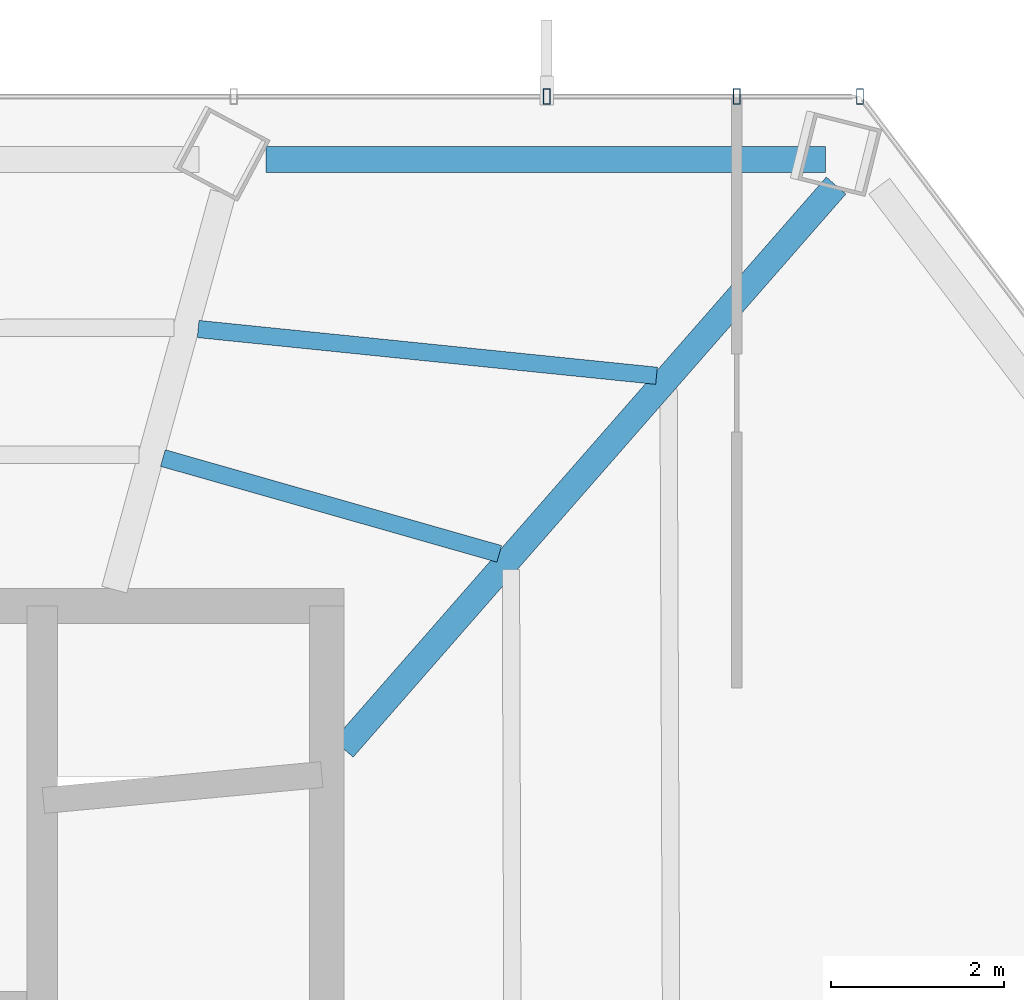
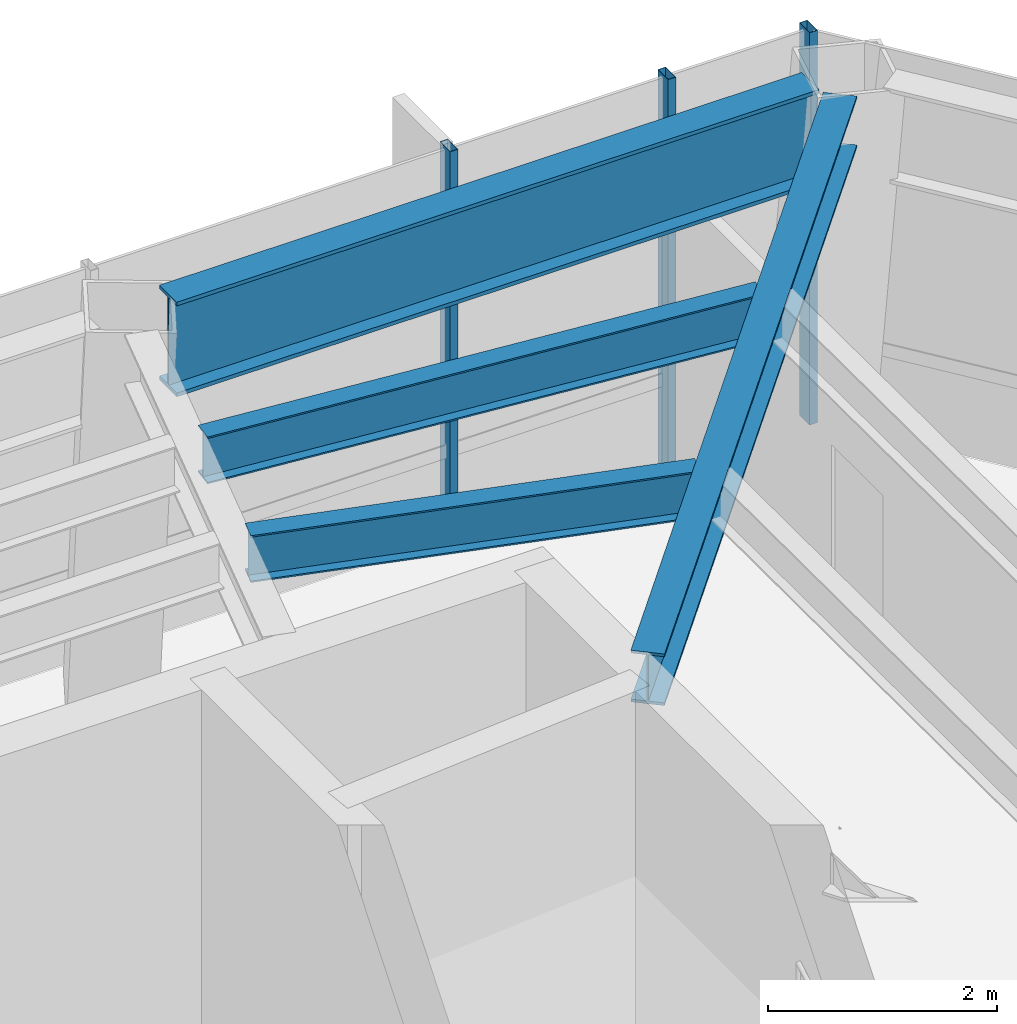
# One storey, part 19 of 25: 4 beams, 3 members, 1 element without a shape of its own.
"""IFC4 building model written with IfcOpenShell, lengths in metres."""

from ifc_helpers import new_model, si_unit, direction, frame, origin, origin_2d, place, context, subcontext, project, spatial, hollow_rectangle, i_section, extrude, material, layer, layer_set, material_profile, profile_set, type_object, element, aggregate, save


model = new_model("IFC4")

# Units and contexts
model_context = context("Model", 3, precision=1e-05, world=origin(), true_north=direction((0.0, 1.0)))
body_context = subcontext(model_context, "Body", "Model", "MODEL_VIEW")
ifc_project = project(units=[si_unit("LENGTHUNIT", "METRE"), si_unit("AREAUNIT", "SQUARE_METRE"), si_unit("VOLUMEUNIT", "CUBIC_METRE"), si_unit("PLANEANGLEUNIT", "RADIAN"), si_unit("MASSUNIT", "GRAM", prefix="KILO")], contexts=[model_context])

# Site, building, storey
site_placement = place(None, origin())
site = spatial("IfcSite", under=ifc_project, at=site_placement, CompositionType="ELEMENT")
building_placement = place(site_placement, origin())
building = spatial("IfcBuilding", under=site, at=building_placement, Name="Zarrinselat Tower", CompositionType="ELEMENT")
storey_placement = place(building_placement, frame((0.0, 0.0, 119.0)))
storey = spatial("IfcBuildingStorey", under=building, at=storey_placement, Name="L28", CompositionType="ELEMENT", Elevation=119.0)

# Beams
ifc_material_1 = material(Name="Steel S355J2", Category="steel")
ifc_material_profile_1 = material_profile(ifc_material_1, i_section(OverallWidth=0.300048828125, OverallDepth=0.550048828125, WebThickness=0.014892578125, FlangeThickness=0.029052734375, at=origin_2d()), Name="HEB 550")
ifc_profile_set_1 = profile_set([ifc_material_profile_1], Name="Steel S355J2")
beam_type_1 = type_object("IfcBeamType", Name="BM-HEB550", PredefinedType="BEAM", material=ifc_profile_set_1)
beam_1_placement = place(storey_placement, frame((48.449951171875, 41.800048828125, 3.905029296875), z_axis=(0.658508601527, 0.752573200237, 0.0), x_axis=(-0.752573200237, 0.658508601527, 0.0)))
element("IfcBeam", 1, at=beam_1_placement, inside=storey, type_object=beam_type_1, Name="L28 Radial Primary Girder RG01", PredefinedType="BEAM", context=body_context, shape_type="SweptSolid", body=[
    extrude(i_section(OverallWidth=0.300048828125, OverallDepth=0.550048828125, WebThickness=0.014892578125, FlangeThickness=0.029052734375, at=origin_2d()), origin(), (0.0, 0.0, 1.0), 8.65576171875),
])
ifc_material_2 = material(Name="Steel S460M", Category="steel")
ifc_material_profile_2 = material_profile(ifc_material_2, i_section(OverallWidth=0.302001953125, OverallDepth=1.008056640625, WebThickness=0.02099609375, FlangeThickness=0.0400390625, at=origin_2d()), Name="HEM 1000")
ifc_profile_set_2 = profile_set([ifc_material_profile_2], Name="Steel S460M")
beam_type_2 = type_object("IfcBeamType", Name="BM-HEM1000", PredefinedType="BEAM", material=ifc_profile_set_2)
beam_2_placement = place(storey_placement, frame((47.552978515625, 48.61669921875, 3.676025390625), z_axis=(1.0, 0.0, 0.0), x_axis=(0.0, 1.0, 0.0)))
element("IfcBeam", 2, at=beam_2_placement, inside=storey, type_object=beam_type_2, Name="L28 Perimeter Spandrel Girder SP01", PredefinedType="BEAM", context=body_context, shape_type="SweptSolid", body=[
    extrude(i_section(OverallWidth=0.302001953125, OverallDepth=1.008056640625, WebThickness=0.02099609375, FlangeThickness=0.0400390625, at=origin_2d()), origin(), (0.0, 0.0, 1.0), 6.4736328125),
])
ifc_material_3 = material(Name="Steel S355J2", Category="steel")
ifc_material_profile_3 = material_profile(ifc_material_3, i_section(OverallWidth=0.199951171875, OverallDepth=0.5, WebThickness=0.01025390625, FlangeThickness=0.01611328125, at=origin_2d()), Name="IPE 500")
ifc_profile_set_3 = profile_set([ifc_material_profile_3], Name="Steel S355J2")
beam_type_3 = type_object("IfcBeamType", Name="BM-IPE500", PredefinedType="JOIST", material=ifc_profile_set_3)
beam_3_placement = place(storey_placement, frame((46.77001953125, 46.654541015625, 3.929931640625), z_axis=(0.994835652817, -0.101498886125, 0.0), x_axis=(0.101498886125, 0.994835652817, 0.0)))
element("IfcBeam", 3, at=beam_3_placement, inside=storey, type_object=beam_type_3, Name="L28 Composite Floor Joist 6-1", PredefinedType="JOIST", context=body_context, shape_type="SweptSolid", body=[
    extrude(i_section(OverallWidth=0.199951171875, OverallDepth=0.5, WebThickness=0.01025390625, FlangeThickness=0.01611328125, at=origin_2d()), origin(), (0.0, 0.0, 1.0), 5.330322265625),
])
beam_4_placement = place(storey_placement, frame((46.362548828125, 45.161865234375, 3.929931640625), z_axis=(0.961721812123, -0.274027655697, 0.0), x_axis=(0.274027655697, 0.961721812123, 0.0)))
element("IfcBeam", 4, at=beam_4_placement, inside=storey, type_object=beam_type_3, Name="L28 Composite Floor Joist 6-2", PredefinedType="JOIST", context=body_context, shape_type="SweptSolid", body=[
    extrude(i_section(OverallWidth=0.199951171875, OverallDepth=0.5, WebThickness=0.01025390625, FlangeThickness=0.01611328125, at=origin_2d()), origin(), (0.0, 0.0, 1.0), 4.045654296875),
])

# Curtain wall, members
ifc_material_4 = material(Name="Extruded Aluminium Alloy EN AW-6063 T6", Category="aluminium")
ifc_layer = layer(ifc_material_4, 0.195068359375)
ifc_layer_set = layer_set([ifc_layer], Name="Extruded Aluminium Alloy EN AW-6063 T6")
curtain_wall_type = type_object("IfcCurtainWallType", Name="CWS-GDN", PredefinedType="NOTDEFINED", material=ifc_layer_set)
curtain_wall_placement = place(storey_placement, origin())
curtain_wall = element("IfcCurtainWall", 5, at=curtain_wall_placement, inside=storey, type_object=curtain_wall_type, Name="L28 Unitised Curtain Wall CW-L28-E04", PredefinedType="NOTDEFINED")
ifc_material_5 = material(Name="Extruded Aluminium Alloy EN AW-6063 T6", Category="aluminium")
ifc_material_profile_4 = material_profile(ifc_material_5, hollow_rectangle(XDim=0.080078125, YDim=0.179931640625, WallThickness=0.0048828125, at=origin_2d()), Name="RHS 180x80x5")
ifc_profile_set_4 = profile_set([ifc_material_profile_4], Name="Extruded Aluminium Alloy EN AW-6063 T6")
member_type = type_object("IfcMemberType", Name="MEM-CW-MUL", PredefinedType="MULLION", material=ifc_profile_set_4)
member_1_placement = place(storey_placement, frame((50.8037109375, 49.344482421875, 0.0), z_axis=(0.0, 0.0, 1.0), x_axis=(1.0, 0.0, 0.0)))
member_1 = element("IfcMember", 6, at=member_1_placement, type_object=member_type, Name="CW-L28-E04 Mullion 7", PredefinedType="MULLION", context=body_context, shape_type="SweptSolid", body=[
    extrude(hollow_rectangle(XDim=0.080078125, YDim=0.179931640625, WallThickness=0.0048828125, at=origin_2d()), origin(), (0.0, 0.0, 1.0), 4.179931640625),
])
member_2_placement = place(storey_placement, frame((53.0, 49.344482421875, 0.0), z_axis=(0.0, 0.0, 1.0), x_axis=(1.0, 0.0, 0.0)))
member_2 = element("IfcMember", 7, at=member_2_placement, type_object=member_type, Name="CW-L28-E04 Mullion 8", PredefinedType="MULLION", context=body_context, shape_type="SweptSolid", body=[
    extrude(hollow_rectangle(XDim=0.080078125, YDim=0.179931640625, WallThickness=0.0048828125, at=origin_2d()), origin(), (0.0, 0.0, 1.0), 4.179931640625),
])
member_3_placement = place(storey_placement, frame((54.42626953125, 49.344482421875, 0.0), z_axis=(0.0, 0.0, 1.0), x_axis=(1.0, 0.0, 0.0)))
member_3 = element("IfcMember", 8, at=member_3_placement, type_object=member_type, Name="CW-L28-E04 Mullion 9", PredefinedType="MULLION", context=body_context, shape_type="SweptSolid", body=[
    extrude(hollow_rectangle(XDim=0.080078125, YDim=0.179931640625, WallThickness=0.0048828125, at=origin_2d()), origin(), (0.0, 0.0, 1.0), 4.179931640625),
])
aggregate(curtain_wall, [member_1, member_2, member_3])

save(model, "model.ifc")
